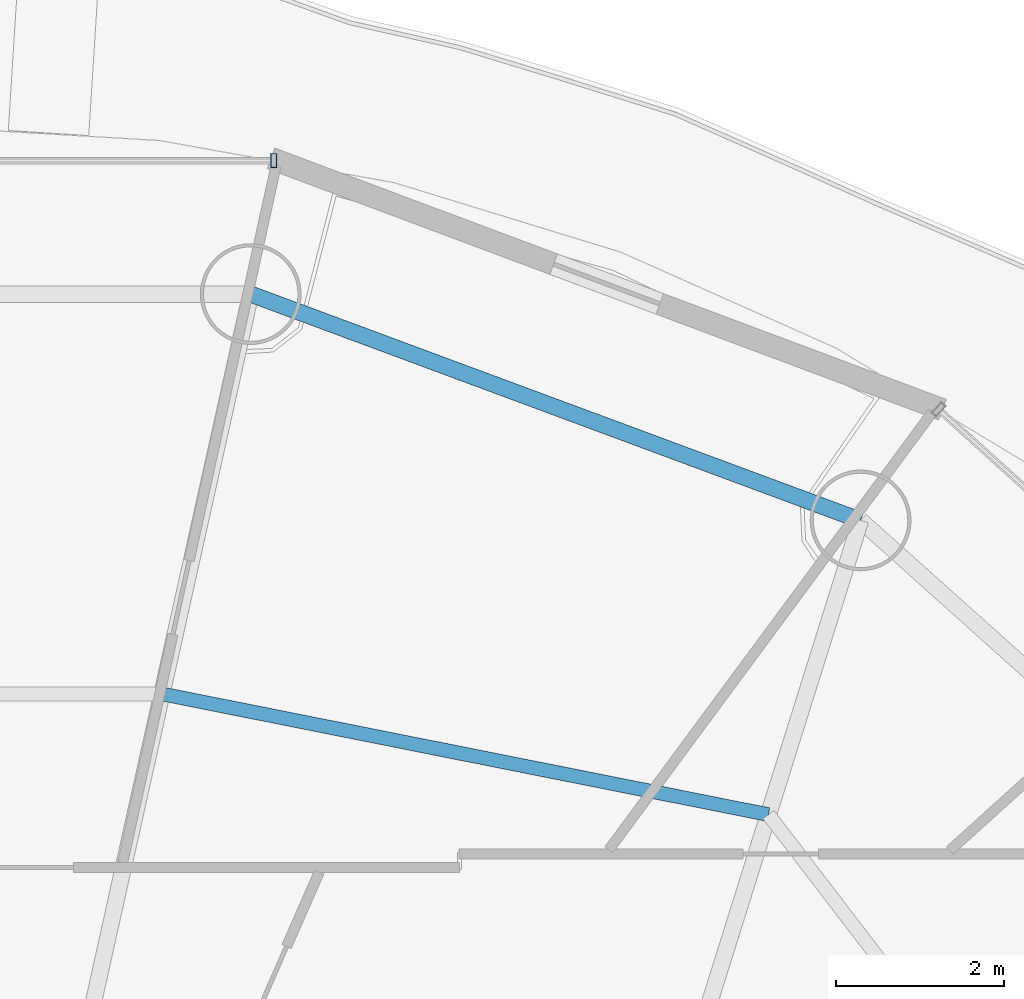
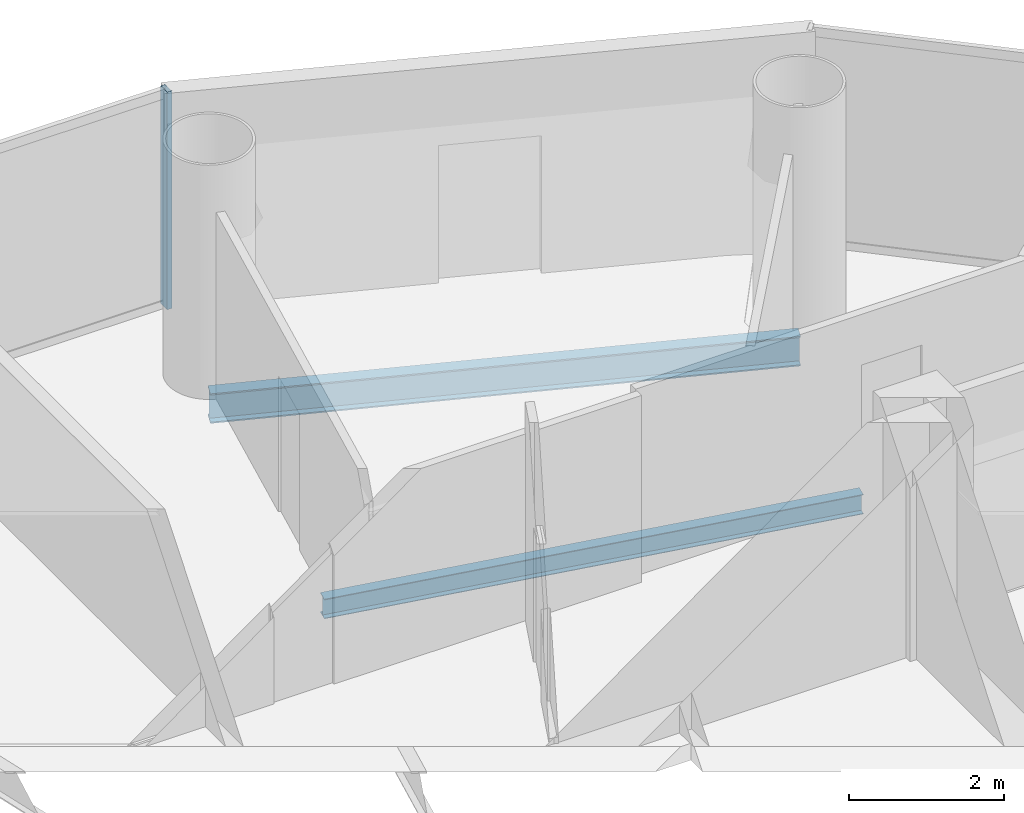
# One storey, part 17 of 27: 2 beams, 1 member, 1 element without a shape of its own.
"""IFC4 building model written with IfcOpenShell, lengths in metres."""

from ifc_helpers import new_model, si_unit, direction, frame, origin, origin_2d, place, context, subcontext, project, spatial, hollow_rectangle, i_section, extrude, source, transform, mapped, material, material_profile, profile_set, type_object, element, aggregate, save


model = new_model("IFC4")

# Units and contexts
model_context = context("Model", 3, precision=1e-05, world=origin(), true_north=direction((-0.2419218956, 0.970295726276)))
body_context = subcontext(model_context, "Body", "Model", "MODEL_VIEW")
ifc_project = project(units=[si_unit("LENGTHUNIT", "METRE"), si_unit("AREAUNIT", "SQUARE_METRE"), si_unit("VOLUMEUNIT", "CUBIC_METRE"), si_unit("PLANEANGLEUNIT", "RADIAN"), si_unit("MASSUNIT", "GRAM", prefix="KILO")], contexts=[model_context])

# Site, building, storey
site_placement = place(None, origin())
site = spatial("IfcSite", under=ifc_project, at=site_placement, CompositionType="ELEMENT")
building_placement = place(site_placement, origin())
building = spatial("IfcBuilding", under=site, at=building_placement, Name="Cobrevalo Terracotta Tower", CompositionType="ELEMENT")
storey_placement = place(building_placement, frame((0.0, 0.0, 198.60009765625)))
storey = spatial("IfcBuildingStorey", under=building, at=storey_placement, Name="L52", CompositionType="ELEMENT", Elevation=198.60009765625)

# Beams
ifc_material_1 = material(Name="Steel S355", Category="steel")
ifc_material_profile_1 = material_profile(ifc_material_1, i_section(OverallWidth=0.1650390625, OverallDepth=0.31005859375, WebThickness=0.005859375, FlangeThickness=0.009765625, at=origin_2d()), Name="W 310x38.7")
ifc_profile_set_1 = profile_set([ifc_material_profile_1], Name="Steel S355")
beam_type_1 = type_object("IfcBeamType", Name="Structural Joist W 310x38.7 (Steel S355)", PredefinedType="JOIST", material=ifc_profile_set_1)
beam_1_placement = place(storey_placement, frame((48.097412109375, 38.303955078125, -0.420166015625), z_axis=(-0.980762562197, 0.195204499418, 0.0), x_axis=(-0.195204499418, -0.980762562197, 0.0)))
element("IfcBeam", 1, at=beam_1_placement, inside=storey, type_object=beam_type_1, Name="L52 circumferential secondary floor joist 03", PredefinedType="JOIST", context=body_context, shape_type="SweptSolid", body=[
    extrude(i_section(OverallWidth=0.1650390625, OverallDepth=0.31005859375, WebThickness=0.005859375, FlangeThickness=0.009765625, at=origin_2d()), origin(), (0.0, 0.0, 1.0), 7.365234375),
])
ifc_material_profile_2 = material_profile(ifc_material_1, i_section(OverallWidth=0.194091796875, OverallDepth=0.468994140625, WebThickness=0.011474609375, FlangeThickness=0.0205078125, at=origin_2d()), Name="W 460x106")
ifc_profile_set_2 = profile_set([ifc_material_profile_2], Name="Steel S355")
beam_type_2 = type_object("IfcBeamType", Name="Structural Spandrel W 460x106 (Steel S355)", PredefinedType="SPANDREL", material=ifc_profile_set_2)
beam_2_placement = place(storey_placement, frame((49.19482421875, 41.80810546875, -0.49951171875), z_axis=(-0.937545996665, 0.347861328892, 0.0), x_axis=(-0.347861328892, -0.937545996665, 0.0)))
element("IfcBeam", 2, at=beam_2_placement, inside=storey, type_object=beam_type_2, Name="L52 perimeter ring spandrel 03", PredefinedType="SPANDREL", context=body_context, shape_type="SweptSolid", body=[
    extrude(i_section(OverallWidth=0.194091796875, OverallDepth=0.468994140625, WebThickness=0.011474609375, FlangeThickness=0.0205078125, at=origin_2d()), origin(), (0.0, 0.0, 1.0), 7.74755859375),
])

# Curtain wall, member
ifc_material_2 = material(Name="Anodized aluminium", Category="aluminium")
curtain_wall_type = type_object("IfcCurtainWallType", Name="Mid-tower high-wind unitised curtain wall CW-U2", PredefinedType="NOTDEFINED", material=ifc_material_2)
curtain_wall_placement = place(storey_placement, origin())
curtain_wall = element("IfcCurtainWall", 3, at=curtain_wall_placement, inside=storey, type_object=curtain_wall_type, Name="L52 curtain wall CW-L52-S04", PredefinedType="NOTDEFINED")
ifc_material_profile_3 = material_profile(ifc_material_2, hollow_rectangle(XDim=0.070068359375, YDim=0.169921875, WallThickness=0.00439453125, at=origin_2d()), Name="CWM 70x170")
ifc_profile_set_3 = profile_set([ifc_material_profile_3], Name="Anodized aluminium")
member_type = type_object("IfcMemberType", Name="Upper tower unitised mullion 70x170", PredefinedType="MULLION", material=ifc_profile_set_3)
shared_shape = source(origin(), body_context, "Body", "SweptSolid", [
    extrude(hollow_rectangle(XDim=0.070068359375, YDim=0.169921875, WallThickness=0.00439453125, at=origin_2d()), origin(), (0.0, 0.0, 1.0), 3.434814453125),
])
member_placement = place(storey_placement, frame((42.20703125, 46.092041015625, 0.0), z_axis=(0.0, 0.0, 1.0), x_axis=(-1.0, 0.0, 0.0)))
member = element("IfcMember", 4, at=member_placement, type_object=member_type, Name="CW-L52-S04 vertical mullion 01", PredefinedType="MULLION", context=body_context, shape_type="MappedRepresentation", body=[
    mapped(shared_shape, transform((0.0, 0.0, 0.0), scale=1.0)),
])
aggregate(curtain_wall, [member])

save(model, "model.ifc")
